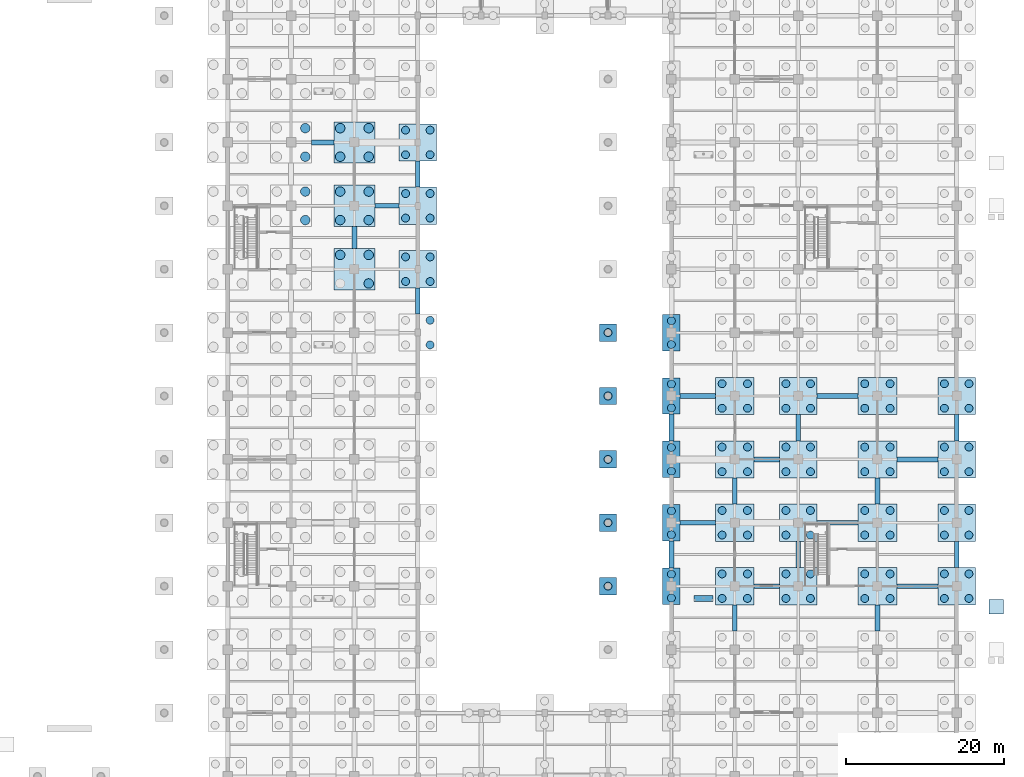
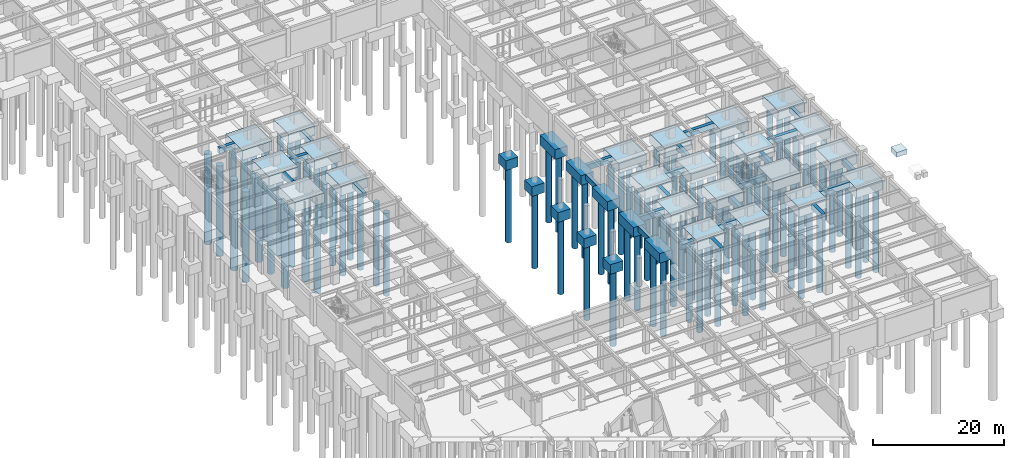
# One storey, part 12 of 97: 108 piles, 57 footings.
"""IFC4 building model written with IfcOpenShell, lengths in metres."""

from ifc_helpers import new_model, si_unit, direction, frame, origin, origin_2d, place, context, subcontext, project, spatial, rectangle, circle, extrude, material, layer, layer_set, material_profile, profile_set, type_object, element, save


model = new_model("IFC4")

# Units and contexts
model_context = context("Model", 3, precision=1e-05, world=origin(), true_north=direction((0.0, 1.0)))
body_context = subcontext(model_context, "Body", "Model", "MODEL_VIEW")
ifc_project = project(units=[si_unit("LENGTHUNIT", "METRE"), si_unit("AREAUNIT", "SQUARE_METRE"), si_unit("VOLUMEUNIT", "CUBIC_METRE"), si_unit("PLANEANGLEUNIT", "RADIAN"), si_unit("MASSUNIT", "GRAM", prefix="KILO")], contexts=[model_context])

# Site, building, storey
site_placement = place(None, origin())
site = spatial("IfcSite", under=ifc_project, at=site_placement, CompositionType="ELEMENT")
building_placement = place(site_placement, origin())
building = spatial("IfcBuilding", under=site, at=building_placement, Name="Haebicheon Civic Stadium", CompositionType="ELEMENT")
storey_placement = place(building_placement, frame((0.0, 0.0, -5.39990234375)))
storey = spatial("IfcBuildingStorey", under=building, at=storey_placement, Name="B1", CompositionType="ELEMENT", Elevation=-5.39990234375)

# Footings
ifc_material_1 = material(Name="Concrete C40/50", Category="concrete")
ifc_layer_1 = layer(ifc_material_1, 1.0, Name="Concrete C40/50")
ifc_layer_set_1 = layer_set([ifc_layer_1], Name="Concrete C40/50")
footing_type_1 = type_object("IfcFootingType", Name="FB-2800x600", PredefinedType="FOOTING_BEAM", material=ifc_layer_set_1)
for number, where, z_axis, x_axis, name in (
    (1, (156.0, 120.0, -1.0), (0.0, 0.0, 1.0), (1.0, 0.0, 0.0), "Ground tie beam X 19-15"),
    (2, (160.0, 108.0, -1.0), (0.0, 0.0, 1.0), (0.0, 1.0, 0.0), "Ground tie beam Y 20-13"),
):
    element("IfcFooting", number, at=place(storey_placement, frame(where, z_axis=z_axis, x_axis=x_axis)), inside=storey, type_object=footing_type_1, material=ifc_layer_set_1, Name=name, PredefinedType="FOOTING_BEAM", context=body_context, shape_type="SweptSolid", body=[
        extrude(rectangle(XDim=2.800048828125, YDim=0.60009765625, at=origin_2d()), origin(), (0.0, 0.0, 1.0), 1.0),
    ])
ifc_material_2 = material(Name="Concrete C40/50", Category="concrete")
ifc_layer_2 = layer(ifc_material_2, 1.0, Name="Concrete C40/50")
ifc_layer_set_2 = layer_set([ifc_layer_2], Name="Concrete C40/50")
footing_type_2 = type_object("IfcFootingType", Name="FB-3050x600", PredefinedType="FOOTING_BEAM", material=ifc_layer_set_2)
footing_1_placement = place(storey_placement, frame((164.125, 112.0, -1.0), z_axis=(0.0, 0.0, 1.0), x_axis=(1.0, 0.0, 0.0)))
element("IfcFooting", 3, at=footing_1_placement, inside=storey, type_object=footing_type_2, material=ifc_layer_set_2, Name="Ground tie beam X 20-14", PredefinedType="FOOTING_BEAM", context=body_context, shape_type="SweptSolid", body=[
    extrude(rectangle(XDim=3.050048828125, YDim=0.60009765625, at=origin_2d()), origin(), (0.0, 0.0, 1.0), 1.0),
])
ifc_material_3 = material(Name="Concrete C40/50", Category="concrete")
ifc_layer_3 = layer(ifc_material_3, 1.0, Name="Concrete C40/50")
ifc_layer_set_3 = layer_set([ifc_layer_3], Name="Concrete C40/50")
footing_type_3 = type_object("IfcFootingType", Name="FB-3200x600", PredefinedType="FOOTING_BEAM", material=ifc_layer_set_3)
for number, where, z_axis, x_axis, name in (
    (4, (212.050048828125, 64.0, -1.0), (0.0, 0.0, 1.0), (1.0, 0.0, 0.0), "Ground tie beam X 26-08"),
    (5, (212.050048828125, 80.0, -1.0), (0.0, 0.0, 1.0), (1.0, 0.0, 0.0), "Ground tie beam X 26-10"),
):
    element("IfcFooting", number, at=place(storey_placement, frame(where, z_axis=z_axis, x_axis=x_axis)), inside=storey, type_object=footing_type_3, material=ifc_layer_set_3, Name=name, PredefinedType="FOOTING_BEAM", context=body_context, shape_type="SweptSolid", body=[
        extrude(rectangle(XDim=3.199951171875, YDim=0.60009765625, at=origin_2d()), origin(), (0.0, 0.0, 1.0), 1.0),
    ])
ifc_material_4 = material(Name="Concrete C40/50", Category="concrete")
ifc_layer_4 = layer(ifc_material_4, 1.0, Name="Concrete C40/50")
ifc_layer_set_4 = layer_set([ifc_layer_4], Name="Concrete C40/50")
footing_type_4 = type_object("IfcFootingType", Name="FB-3300x600", PredefinedType="FOOTING_BEAM", material=ifc_layer_set_4)
for number, where, z_axis, x_axis, name in (
    (6, (168.0, 100.0, -1.0), (0.0, 0.0, 1.0), (0.0, 1.0, 0.0), "Ground tie beam Y 21-12"),
    (7, (168.0, 116.0, -1.0), (0.0, 0.0, 1.0), (0.0, 1.0, 0.0), "Ground tie beam Y 21-14"),
    (8, (208.0, 60.0, -1.0), (0.0, 0.0, 1.0), (0.0, 1.0, 0.0), "Ground tie beam Y 26-07"),
    (9, (208.0, 76.0, -1.0), (0.0, 0.0, 1.0), (0.0, 1.0, 0.0), "Ground tie beam Y 26-09"),
    (10, (216.0, 68.0, -1.0), (0.0, 0.0, 1.0), (0.0, 1.0, 0.0), "Ground tie beam Y 27-08"),
    (11, (216.0, 84.0, -1.0), (0.0, 0.0, 1.0), (0.0, 1.0, 0.0), "Ground tie beam Y 27-10"),
    (12, (226.0, 60.0, -1.0), (0.0, 0.0, 1.0), (0.0, 1.0, 0.0), "Ground tie beam Y 28-07"),
    (13, (226.0, 76.0, -1.0), (0.0, 0.0, 1.0), (0.0, 1.0, 0.0), "Ground tie beam Y 28-09"),
    (14, (236.0, 68.0, -1.0), (0.0, 0.0, 1.0), (0.0, 1.0, 0.0), "Ground tie beam Y 29-08"),
    (15, (236.0, 84.0, -1.0), (0.0, 0.0, 1.0), (0.0, 1.0, 0.0), "Ground tie beam Y 29-10"),
):
    element("IfcFooting", number, at=place(storey_placement, frame(where, z_axis=z_axis, x_axis=x_axis)), inside=storey, type_object=footing_type_4, material=ifc_layer_set_4, Name=name, PredefinedType="FOOTING_BEAM", context=body_context, shape_type="SweptSolid", body=[
        extrude(rectangle(XDim=3.300048828125, YDim=0.60009765625, at=origin_2d()), origin(), (0.0, 0.0, 1.0), 1.0),
    ])
ifc_material_5 = material(Name="Concrete C40/50", Category="concrete")
ifc_layer_5 = layer(ifc_material_5, 1.0, Name="Concrete C40/50")
ifc_layer_set_5 = layer_set([ifc_layer_5], Name="Concrete C40/50")
footing_type_5 = type_object("IfcFootingType", Name="FB-3400x600", PredefinedType="FOOTING_BEAM", material=ifc_layer_set_5)
for number, where, z_axis, x_axis, name in (
    (16, (200.0, 68.0, -1.0), (0.0, 0.0, 1.0), (0.0, 1.0, 0.0), "Ground tie beam Y 25-08"),
    (17, (200.0, 84.0, -1.0), (0.0, 0.0, 1.0), (0.0, 1.0, 0.0), "Ground tie beam Y 25-10"),
):
    element("IfcFooting", number, at=place(storey_placement, frame(where, z_axis=z_axis, x_axis=x_axis)), inside=storey, type_object=footing_type_5, material=ifc_layer_set_5, Name=name, PredefinedType="FOOTING_BEAM", context=body_context, shape_type="SweptSolid", body=[
        extrude(rectangle(XDim=3.39990234375, YDim=0.60009765625, at=origin_2d()), origin(), (0.0, 0.0, 1.0), 1.0),
    ])
ifc_material_6 = material(Name="Concrete C40/50", Category="concrete")
ifc_layer_6 = layer(ifc_material_6, 1.0, Name="Concrete C40/50")
ifc_layer_set_6 = layer_set([ifc_layer_6], Name="Concrete C40/50")
footing_type_6 = type_object("IfcFootingType", Name="FB-4450x600", PredefinedType="FOOTING_BEAM", material=ifc_layer_set_6)
for number, where, z_axis, x_axis, name in (
    (18, (203.324951171875, 72.0, -1.0), (0.0, 0.0, 1.0), (1.0, 0.0, 0.0), "Ground tie beam X 25-09"),
    (19, (203.324951171875, 88.0, -1.0), (0.0, 0.0, 1.0), (1.0, 0.0, 0.0), "Ground tie beam X 25-11"),
):
    element("IfcFooting", number, at=place(storey_placement, frame(where, z_axis=z_axis, x_axis=x_axis)), inside=storey, type_object=footing_type_6, material=ifc_layer_set_6, Name=name, PredefinedType="FOOTING_BEAM", context=body_context, shape_type="SweptSolid", body=[
        extrude(rectangle(XDim=4.449951171875, YDim=0.60009765625, at=origin_2d()), origin(), (0.0, 0.0, 1.0), 1.0),
    ])
ifc_material_7 = material(Name="Concrete C40/50", Category="concrete")
ifc_layer_7 = layer(ifc_material_7, 1.0, Name="Concrete C40/50")
ifc_layer_set_7 = layer_set([ifc_layer_7], Name="Concrete C40/50")
footing_type_7 = type_object("IfcFootingType", Name="FB-5200x600", PredefinedType="FOOTING_BEAM", material=ifc_layer_set_7)
for number, where, z_axis, x_axis, name in (
    (20, (220.949951171875, 72.0, -1.0), (0.0, 0.0, 1.0), (1.0, 0.0, 0.0), "Ground tie beam X 27-09"),
    (21, (220.949951171875, 88.0, -1.0), (0.0, 0.0, 1.0), (1.0, 0.0, 0.0), "Ground tie beam X 27-11"),
    (22, (231.050048828125, 64.0, -1.0), (0.0, 0.0, 1.0), (1.0, 0.0, 0.0), "Ground tie beam X 28-08"),
    (23, (231.050048828125, 80.0, -1.0), (0.0, 0.0, 1.0), (1.0, 0.0, 0.0), "Ground tie beam X 28-10"),
):
    element("IfcFooting", number, at=place(storey_placement, frame(where, z_axis=z_axis, x_axis=x_axis)), inside=storey, type_object=footing_type_7, material=ifc_layer_set_7, Name=name, PredefinedType="FOOTING_BEAM", context=body_context, shape_type="SweptSolid", body=[
        extrude(rectangle(XDim=5.199951171875, YDim=0.60009765625, at=origin_2d()), origin(), (0.0, 0.0, 1.0), 1.0),
    ])
ifc_material_8 = material(Name="Concrete C40/50", Category="concrete")
ifc_layer_8 = layer(ifc_material_8, 1.800048828125, Name="Concrete C40/50")
ifc_layer_set_8 = layer_set([ifc_layer_8], Name="Concrete C40/50")
footing_type_8 = type_object("IfcFootingType", Name="PC-1P-2200", PredefinedType="PILE_CAP", material=ifc_layer_set_8)
for number, where, z_axis, x_axis, name in (
    (24, (192.0, 64.0, -1.80029296875), (0.0, 0.0, 1.0), (1.0, 0.0, 0.0), "Bowl pier pile cap FT-BPC-040"),
    (25, (192.0, 72.0, -1.80029296875), (0.0, 0.0, 1.0), (1.0, 0.0, 0.0), "Bowl pier pile cap FT-BPC-041"),
    (26, (192.0, 80.0, -1.80029296875), (0.0, 0.0, 1.0), (1.0, 0.0, 0.0), "Bowl pier pile cap FT-BPC-042"),
    (27, (192.0, 88.0, -1.80029296875), (0.0, 0.0, 1.0), (1.0, 0.0, 0.0), "Bowl pier pile cap FT-BPC-043"),
    (28, (192.0, 96.0, -1.80029296875), (0.0, 0.0, 1.0), (1.0, 0.0, 0.0), "Bowl pier pile cap FT-BPC-044"),
):
    element("IfcFooting", number, at=place(storey_placement, frame(where, z_axis=z_axis, x_axis=x_axis)), inside=storey, type_object=footing_type_8, material=ifc_layer_set_8, Name=name, PredefinedType="PILE_CAP", context=body_context, shape_type="SweptSolid", body=[
        extrude(rectangle(XDim=2.199951171875, YDim=2.199951171875, at=origin_2d()), origin(), (0.0, 0.0, 1.0), 1.800048828125),
    ])
ifc_material_9 = material(Name="Concrete C40/50", Category="concrete")
ifc_layer_9 = layer(ifc_material_9, 1.800048828125, Name="Concrete C40/50")
ifc_layer_set_9 = layer_set([ifc_layer_9], Name="Concrete C40/50")
footing_type_9 = type_object("IfcFootingType", Name="PC-2P-2200", PredefinedType="PILE_CAP", material=ifc_layer_set_9)
for number, where, z_axis, x_axis, name in (
    (29, (200.0, 64.0, -1.80029296875), (0.0, 0.0, 1.0), (1.0, 0.0, 0.0), "Pile cap FT-PC-25-08"),
    (30, (200.0, 72.0, -1.80029296875), (0.0, 0.0, 1.0), (1.0, 0.0, 0.0), "Pile cap FT-PC-25-09"),
    (31, (200.0, 80.0, -1.80029296875), (0.0, 0.0, 1.0), (1.0, 0.0, 0.0), "Pile cap FT-PC-25-10"),
    (32, (200.0, 88.0, -1.80029296875), (0.0, 0.0, 1.0), (1.0, 0.0, 0.0), "Pile cap FT-PC-25-11"),
    (33, (200.0, 96.0, -1.80029296875), (0.0, 0.0, 1.0), (1.0, 0.0, 0.0), "Pile cap FT-PC-25-12"),
):
    element("IfcFooting", number, at=place(storey_placement, frame(where, z_axis=z_axis, x_axis=x_axis)), inside=storey, type_object=footing_type_9, material=ifc_layer_set_9, Name=name, PredefinedType="PILE_CAP", context=body_context, shape_type="SweptSolid", body=[
        extrude(rectangle(XDim=2.199951171875, YDim=4.60009765625, at=origin_2d()), origin(), (0.0, 0.0, 1.0), 1.800048828125),
    ])
ifc_material_10 = material(Name="Concrete C40/50", Category="concrete")
ifc_layer_10 = layer(ifc_material_10, 1.800048828125, Name="Concrete C40/50")
ifc_layer_set_10 = layer_set([ifc_layer_10], Name="Concrete C40/50")
footing_type_10 = type_object("IfcFootingType", Name="PC-4P-4700", PredefinedType="PILE_CAP", material=ifc_layer_set_10)
for number, where, z_axis, x_axis, name in (
    (34, (168.0, 104.0, -1.80029296875), (0.0, 0.0, 1.0), (1.0, 0.0, 0.0), "Pile cap FT-PC-21-13"),
    (35, (168.0, 112.0, -1.80029296875), (0.0, 0.0, 1.0), (1.0, 0.0, 0.0), "Pile cap FT-PC-21-14"),
    (36, (168.0, 120.0, -1.80029296875), (0.0, 0.0, 1.0), (1.0, 0.0, 0.0), "Pile cap FT-PC-21-15"),
    (37, (216.0, 64.0, -1.80029296875), (0.0, 0.0, 1.0), (1.0, 0.0, 0.0), "Pile cap FT-PC-27-08"),
    (38, (216.0, 72.0, -1.80029296875), (0.0, 0.0, 1.0), (1.0, 0.0, 0.0), "Pile cap FT-PC-27-09"),
    (39, (216.0, 80.0, -1.80029296875), (0.0, 0.0, 1.0), (1.0, 0.0, 0.0), "Pile cap FT-PC-27-10"),
    (40, (216.0, 88.0, -1.80029296875), (0.0, 0.0, 1.0), (1.0, 0.0, 0.0), "Pile cap FT-PC-27-11"),
    (41, (236.0, 64.0, -1.80029296875), (0.0, 0.0, 1.0), (1.0, 0.0, 0.0), "Pile cap FT-PC-29-08"),
    (42, (236.0, 72.0, -1.80029296875), (0.0, 0.0, 1.0), (1.0, 0.0, 0.0), "Pile cap FT-PC-29-09"),
    (43, (236.0, 80.0, -1.80029296875), (0.0, 0.0, 1.0), (1.0, 0.0, 0.0), "Pile cap FT-PC-29-10"),
    (44, (236.0, 88.0, -1.80029296875), (0.0, 0.0, 1.0), (1.0, 0.0, 0.0), "Pile cap FT-PC-29-11"),
):
    element("IfcFooting", number, at=place(storey_placement, frame(where, z_axis=z_axis, x_axis=x_axis)), inside=storey, type_object=footing_type_10, material=ifc_layer_set_10, Name=name, PredefinedType="PILE_CAP", context=body_context, shape_type="SweptSolid", body=[
        extrude(rectangle(XDim=4.699951171875, YDim=4.699951171875, at=origin_2d()), origin(), (0.0, 0.0, 1.0), 1.800048828125),
    ])
ifc_material_11 = material(Name="Concrete C40/50", Category="concrete")
ifc_layer_11 = layer(ifc_material_11, 1.800048828125, Name="Concrete C40/50")
ifc_layer_set_11 = layer_set([ifc_layer_11], Name="Concrete C40/50")
footing_type_11 = type_object("IfcFootingType", Name="PC-4P-4900", PredefinedType="PILE_CAP", material=ifc_layer_set_11)
for number, where, z_axis, x_axis, name in (
    (45, (208.0, 64.0, -1.80029296875), (0.0, 0.0, 1.0), (1.0, 0.0, 0.0), "Pile cap FT-PC-26-08"),
    (46, (208.0, 72.0, -1.80029296875), (0.0, 0.0, 1.0), (1.0, 0.0, 0.0), "Pile cap FT-PC-26-09"),
    (47, (208.0, 80.0, -1.80029296875), (0.0, 0.0, 1.0), (1.0, 0.0, 0.0), "Pile cap FT-PC-26-10"),
    (48, (208.0, 88.0, -1.80029296875), (0.0, 0.0, 1.0), (1.0, 0.0, 0.0), "Pile cap FT-PC-26-11"),
    (49, (226.0, 64.0, -1.80029296875), (0.0, 0.0, 1.0), (1.0, 0.0, 0.0), "Pile cap FT-PC-28-08"),
    (50, (226.0, 72.0, -1.80029296875), (0.0, 0.0, 1.0), (1.0, 0.0, 0.0), "Pile cap FT-PC-28-09"),
    (51, (226.0, 80.0, -1.80029296875), (0.0, 0.0, 1.0), (1.0, 0.0, 0.0), "Pile cap FT-PC-28-10"),
    (52, (226.0, 88.0, -1.80029296875), (0.0, 0.0, 1.0), (1.0, 0.0, 0.0), "Pile cap FT-PC-28-11"),
):
    element("IfcFooting", number, at=place(storey_placement, frame(where, z_axis=z_axis, x_axis=x_axis)), inside=storey, type_object=footing_type_11, material=ifc_layer_set_11, Name=name, PredefinedType="PILE_CAP", context=body_context, shape_type="SweptSolid", body=[
        extrude(rectangle(XDim=4.89990234375, YDim=4.699951171875, at=origin_2d()), origin(), (0.0, 0.0, 1.0), 1.800048828125),
    ])
ifc_material_12 = material(Name="Concrete C40/50", Category="concrete")
ifc_layer_12 = layer(ifc_material_12, 1.800048828125, Name="Concrete C40/50")
ifc_layer_set_12 = layer_set([ifc_layer_12], Name="Concrete C40/50")
footing_type_12 = type_object("IfcFootingType", Name="PC-4P-5200", PredefinedType="PILE_CAP", material=ifc_layer_set_12)
for number, where, z_axis, x_axis, name in (
    (53, (160.0, 104.0, -1.80029296875), (0.0, 0.0, 1.0), (1.0, 0.0, 0.0), "Pile cap FT-PC-20-13"),
    (54, (160.0, 112.0, -1.80029296875), (0.0, 0.0, 1.0), (1.0, 0.0, 0.0), "Pile cap FT-PC-20-14"),
    (55, (160.0, 120.0, -1.80029296875), (0.0, 0.0, 1.0), (1.0, 0.0, 0.0), "Pile cap FT-PC-20-15"),
):
    element("IfcFooting", number, at=place(storey_placement, frame(where, z_axis=z_axis, x_axis=x_axis)), inside=storey, type_object=footing_type_12, material=ifc_layer_set_12, Name=name, PredefinedType="PILE_CAP", context=body_context, shape_type="SweptSolid", body=[
        extrude(rectangle(XDim=5.199951171875, YDim=5.199951171875, at=origin_2d()), origin(), (0.0, 0.0, 1.0), 1.800048828125),
    ])
ifc_material_13 = material(Name="Concrete C35/45", Category="concrete")
ifc_layer_13 = layer(ifc_material_13, 0.89990234375, Name="Concrete C35/45")
ifc_layer_set_13 = layer_set([ifc_layer_13], Name="Concrete C35/45")
footing_type_13 = type_object("IfcFootingType", Name="PF-1800", PredefinedType="PAD_FOOTING", material=ifc_layer_set_13)
footing_2_placement = place(storey_placement, frame((241.0, 61.39990234375, 4.300048828125), z_axis=(0.0, 0.0, 1.0), x_axis=(1.0, 0.0, 0.0)))
element("IfcFooting", 56, at=footing_2_placement, inside=storey, type_object=footing_type_13, material=ifc_layer_set_13, Name="Ramp upper pad footing RMP-04", PredefinedType="PAD_FOOTING", context=body_context, shape_type="SweptSolid", body=[
    extrude(rectangle(XDim=1.800048828125, YDim=1.800048828125, at=origin_2d()), origin(), (0.0, 0.0, 1.0), 0.89990234375),
])
ifc_material_14 = material(Name="Concrete C35/45", Category="concrete")
ifc_layer_14 = layer(ifc_material_14, 0.89990234375, Name="Concrete C35/45")
ifc_layer_set_14 = layer_set([ifc_layer_14], Name="Concrete C35/45")
footing_type_14 = type_object("IfcFootingType", Name="PF-2360x800", PredefinedType="PAD_FOOTING", material=ifc_layer_set_14)
footing_3_placement = place(storey_placement, frame((204.050048828125, 62.449951171875, -0.900146484375), z_axis=(0.0, 0.0, 1.0), x_axis=(1.0, 0.0, 0.0)))
element("IfcFooting", 57, at=footing_3_placement, inside=storey, type_object=footing_type_14, material=ifc_layer_set_14, Name="VM-11 vomitory landing pad footing", PredefinedType="PAD_FOOTING", context=body_context, shape_type="SweptSolid", body=[
    extrude(rectangle(XDim=2.360107421875, YDim=0.800048828125, at=origin_2d()), origin(), (0.0, 0.0, 1.0), 0.89990234375),
])

# Piles
ifc_material_15 = material(Name="Concrete C40/50", Category="concrete")
ifc_material_profile_1 = material_profile(ifc_material_15, circle(Radius=0.5, at=origin_2d()), Name="PILE-D1000")
ifc_profile_set_1 = profile_set([ifc_material_profile_1], Name="Concrete C40/50")
pile_type_1 = type_object("IfcPileType", Name="PL-D1000", PredefinedType="BORED", material=ifc_profile_set_1)
for number, where, z_axis, x_axis, name in (
    (58, (169.550048828125, 94.449951171875, -1.7001953125), (0.0, 0.0, -1.0), (1.0, 0.0, 0.0), "Bored pile 21-12-2"),
    (59, (169.550048828125, 97.550048828125, -1.7001953125), (0.0, 0.0, -1.0), (1.0, 0.0, 0.0), "Bored pile 21-12-4"),
    (60, (166.449951171875, 102.449951171875, -1.7001953125), (0.0, 0.0, -1.0), (1.0, 0.0, 0.0), "Bored pile 21-13-1"),
    (61, (169.550048828125, 102.449951171875, -1.7001953125), (0.0, 0.0, -1.0), (1.0, 0.0, 0.0), "Bored pile 21-13-2"),
    (62, (166.449951171875, 105.550048828125, -1.7001953125), (0.0, 0.0, -1.0), (1.0, 0.0, 0.0), "Bored pile 21-13-3"),
    (63, (169.550048828125, 105.550048828125, -1.7001953125), (0.0, 0.0, -1.0), (1.0, 0.0, 0.0), "Bored pile 21-13-4"),
    (64, (166.449951171875, 110.449951171875, -1.7001953125), (0.0, 0.0, -1.0), (1.0, 0.0, 0.0), "Bored pile 21-14-1"),
    (65, (169.550048828125, 110.449951171875, -1.7001953125), (0.0, 0.0, -1.0), (1.0, 0.0, 0.0), "Bored pile 21-14-2"),
    (66, (166.449951171875, 113.550048828125, -1.7001953125), (0.0, 0.0, -1.0), (1.0, 0.0, 0.0), "Bored pile 21-14-3"),
    (67, (169.550048828125, 113.550048828125, -1.7001953125), (0.0, 0.0, -1.0), (1.0, 0.0, 0.0), "Bored pile 21-14-4"),
    (68, (166.449951171875, 118.449951171875, -1.7001953125), (0.0, 0.0, -1.0), (1.0, 0.0, 0.0), "Bored pile 21-15-1"),
    (69, (169.550048828125, 118.449951171875, -1.7001953125), (0.0, 0.0, -1.0), (1.0, 0.0, 0.0), "Bored pile 21-15-2"),
    (70, (166.449951171875, 121.550048828125, -1.7001953125), (0.0, 0.0, -1.0), (1.0, 0.0, 0.0), "Bored pile 21-15-3"),
    (71, (169.550048828125, 121.550048828125, -1.7001953125), (0.0, 0.0, -1.0), (1.0, 0.0, 0.0), "Bored pile 21-15-4"),
):
    element("IfcPile", number, at=place(storey_placement, frame(where, z_axis=z_axis, x_axis=x_axis)), inside=storey, type_object=pile_type_1, material=ifc_profile_set_1, Name=name, PredefinedType="BORED", context=body_context, shape_type="SweptSolid", body=[
        extrude(circle(Radius=0.5, at=origin_2d()), origin(), (0.0, 0.0, 1.0), 15.5),
    ])
for number, where, z_axis, x_axis, name in (
    (72, (200.0, 62.5, -1.7001953125), (0.0, 0.0, -1.0), (1.0, 0.0, 0.0), "Bored pile 25-08-1"),
    (73, (200.0, 65.5, -1.7001953125), (0.0, 0.0, -1.0), (1.0, 0.0, 0.0), "Bored pile 25-08-2"),
    (74, (200.0, 70.5, -1.7001953125), (0.0, 0.0, -1.0), (1.0, 0.0, 0.0), "Bored pile 25-09-1"),
    (75, (200.0, 73.5, -1.7001953125), (0.0, 0.0, -1.0), (1.0, 0.0, 0.0), "Bored pile 25-09-2"),
    (76, (200.0, 78.5, -1.7001953125), (0.0, 0.0, -1.0), (1.0, 0.0, 0.0), "Bored pile 25-10-1"),
    (77, (200.0, 81.5, -1.7001953125), (0.0, 0.0, -1.0), (1.0, 0.0, 0.0), "Bored pile 25-10-2"),
    (78, (200.0, 86.5, -1.7001953125), (0.0, 0.0, -1.0), (1.0, 0.0, 0.0), "Bored pile 25-11-1"),
    (79, (200.0, 89.5, -1.7001953125), (0.0, 0.0, -1.0), (1.0, 0.0, 0.0), "Bored pile 25-11-2"),
    (80, (200.0, 94.5, -1.7001953125), (0.0, 0.0, -1.0), (1.0, 0.0, 0.0), "Bored pile 25-12-1"),
    (81, (200.0, 97.5, -1.7001953125), (0.0, 0.0, -1.0), (1.0, 0.0, 0.0), "Bored pile 25-12-2"),
):
    element("IfcPile", number, at=place(storey_placement, frame(where, z_axis=z_axis, x_axis=x_axis)), inside=storey, type_object=pile_type_1, material=ifc_profile_set_1, Name=name, PredefinedType="BORED", context=body_context, shape_type="SweptSolid", body=[
        extrude(circle(Radius=0.5, at=origin_2d()), origin(), (0.0, 0.0, 1.0), 14.300048828125),
    ])
for number, where, z_axis, x_axis, name in (
    (82, (206.39990234375, 62.449951171875, -1.7001953125), (0.0, 0.0, -1.0), (1.0, 0.0, 0.0), "Bored pile 26-08-1"),
    (83, (209.60009765625, 62.449951171875, -1.7001953125), (0.0, 0.0, -1.0), (1.0, 0.0, 0.0), "Bored pile 26-08-2"),
    (84, (206.39990234375, 65.550048828125, -1.7001953125), (0.0, 0.0, -1.0), (1.0, 0.0, 0.0), "Bored pile 26-08-3"),
    (85, (209.60009765625, 65.550048828125, -1.7001953125), (0.0, 0.0, -1.0), (1.0, 0.0, 0.0), "Bored pile 26-08-4"),
    (86, (206.39990234375, 70.449951171875, -1.7001953125), (0.0, 0.0, -1.0), (1.0, 0.0, 0.0), "Bored pile 26-09-1"),
    (87, (209.60009765625, 70.449951171875, -1.7001953125), (0.0, 0.0, -1.0), (1.0, 0.0, 0.0), "Bored pile 26-09-2"),
    (88, (206.39990234375, 73.550048828125, -1.7001953125), (0.0, 0.0, -1.0), (1.0, 0.0, 0.0), "Bored pile 26-09-3"),
    (89, (209.60009765625, 73.550048828125, -1.7001953125), (0.0, 0.0, -1.0), (1.0, 0.0, 0.0), "Bored pile 26-09-4"),
    (90, (206.39990234375, 78.449951171875, -1.7001953125), (0.0, 0.0, -1.0), (1.0, 0.0, 0.0), "Bored pile 26-10-1"),
    (91, (209.60009765625, 78.449951171875, -1.7001953125), (0.0, 0.0, -1.0), (1.0, 0.0, 0.0), "Bored pile 26-10-2"),
    (92, (206.39990234375, 81.550048828125, -1.7001953125), (0.0, 0.0, -1.0), (1.0, 0.0, 0.0), "Bored pile 26-10-3"),
    (93, (209.60009765625, 81.550048828125, -1.7001953125), (0.0, 0.0, -1.0), (1.0, 0.0, 0.0), "Bored pile 26-10-4"),
    (94, (206.39990234375, 86.449951171875, -1.7001953125), (0.0, 0.0, -1.0), (1.0, 0.0, 0.0), "Bored pile 26-11-1"),
    (95, (209.60009765625, 86.449951171875, -1.7001953125), (0.0, 0.0, -1.0), (1.0, 0.0, 0.0), "Bored pile 26-11-2"),
    (96, (206.39990234375, 89.550048828125, -1.7001953125), (0.0, 0.0, -1.0), (1.0, 0.0, 0.0), "Bored pile 26-11-3"),
    (97, (209.60009765625, 89.550048828125, -1.7001953125), (0.0, 0.0, -1.0), (1.0, 0.0, 0.0), "Bored pile 26-11-4"),
):
    element("IfcPile", number, at=place(storey_placement, frame(where, z_axis=z_axis, x_axis=x_axis)), inside=storey, type_object=pile_type_1, material=ifc_profile_set_1, Name=name, PredefinedType="BORED", context=body_context, shape_type="SweptSolid", body=[
        extrude(circle(Radius=0.5, at=origin_2d()), origin(), (0.0, 0.0, 1.0), 15.800048828125),
    ])
for number, where, z_axis, x_axis, name in (
    (98, (214.449951171875, 62.449951171875, -1.7001953125), (0.0, 0.0, -1.0), (1.0, 0.0, 0.0), "Bored pile 27-08-1"),
    (99, (217.550048828125, 62.449951171875, -1.7001953125), (0.0, 0.0, -1.0), (1.0, 0.0, 0.0), "Bored pile 27-08-2"),
    (100, (214.449951171875, 65.550048828125, -1.7001953125), (0.0, 0.0, -1.0), (1.0, 0.0, 0.0), "Bored pile 27-08-3"),
    (101, (217.550048828125, 65.550048828125, -1.7001953125), (0.0, 0.0, -1.0), (1.0, 0.0, 0.0), "Bored pile 27-08-4"),
    (102, (214.449951171875, 70.449951171875, -1.7001953125), (0.0, 0.0, -1.0), (1.0, 0.0, 0.0), "Bored pile 27-09-1"),
    (103, (217.550048828125, 70.449951171875, -1.7001953125), (0.0, 0.0, -1.0), (1.0, 0.0, 0.0), "Bored pile 27-09-2"),
    (104, (214.449951171875, 73.550048828125, -1.7001953125), (0.0, 0.0, -1.0), (1.0, 0.0, 0.0), "Bored pile 27-09-3"),
    (105, (217.550048828125, 73.550048828125, -1.7001953125), (0.0, 0.0, -1.0), (1.0, 0.0, 0.0), "Bored pile 27-09-4"),
    (106, (214.449951171875, 78.449951171875, -1.7001953125), (0.0, 0.0, -1.0), (1.0, 0.0, 0.0), "Bored pile 27-10-1"),
    (107, (217.550048828125, 78.449951171875, -1.7001953125), (0.0, 0.0, -1.0), (1.0, 0.0, 0.0), "Bored pile 27-10-2"),
    (108, (214.449951171875, 81.550048828125, -1.7001953125), (0.0, 0.0, -1.0), (1.0, 0.0, 0.0), "Bored pile 27-10-3"),
    (109, (217.550048828125, 81.550048828125, -1.7001953125), (0.0, 0.0, -1.0), (1.0, 0.0, 0.0), "Bored pile 27-10-4"),
    (110, (214.449951171875, 86.449951171875, -1.7001953125), (0.0, 0.0, -1.0), (1.0, 0.0, 0.0), "Bored pile 27-11-1"),
    (111, (217.550048828125, 86.449951171875, -1.7001953125), (0.0, 0.0, -1.0), (1.0, 0.0, 0.0), "Bored pile 27-11-2"),
    (112, (214.449951171875, 89.550048828125, -1.7001953125), (0.0, 0.0, -1.0), (1.0, 0.0, 0.0), "Bored pile 27-11-3"),
    (113, (217.550048828125, 89.550048828125, -1.7001953125), (0.0, 0.0, -1.0), (1.0, 0.0, 0.0), "Bored pile 27-11-4"),
):
    element("IfcPile", number, at=place(storey_placement, frame(where, z_axis=z_axis, x_axis=x_axis)), inside=storey, type_object=pile_type_1, material=ifc_profile_set_1, Name=name, PredefinedType="BORED", context=body_context, shape_type="SweptSolid", body=[
        extrude(circle(Radius=0.5, at=origin_2d()), origin(), (0.0, 0.0, 1.0), 15.5),
    ])
for number, where, z_axis, x_axis, name in (
    (114, (224.39990234375, 62.449951171875, -1.7001953125), (0.0, 0.0, -1.0), (1.0, 0.0, 0.0), "Bored pile 28-08-1"),
    (115, (227.60009765625, 62.449951171875, -1.7001953125), (0.0, 0.0, -1.0), (1.0, 0.0, 0.0), "Bored pile 28-08-2"),
    (116, (224.39990234375, 65.550048828125, -1.7001953125), (0.0, 0.0, -1.0), (1.0, 0.0, 0.0), "Bored pile 28-08-3"),
    (117, (227.60009765625, 65.550048828125, -1.7001953125), (0.0, 0.0, -1.0), (1.0, 0.0, 0.0), "Bored pile 28-08-4"),
    (118, (224.39990234375, 70.449951171875, -1.7001953125), (0.0, 0.0, -1.0), (1.0, 0.0, 0.0), "Bored pile 28-09-1"),
    (119, (227.60009765625, 70.449951171875, -1.7001953125), (0.0, 0.0, -1.0), (1.0, 0.0, 0.0), "Bored pile 28-09-2"),
    (120, (224.39990234375, 73.550048828125, -1.7001953125), (0.0, 0.0, -1.0), (1.0, 0.0, 0.0), "Bored pile 28-09-3"),
    (121, (227.60009765625, 73.550048828125, -1.7001953125), (0.0, 0.0, -1.0), (1.0, 0.0, 0.0), "Bored pile 28-09-4"),
    (122, (224.39990234375, 78.449951171875, -1.7001953125), (0.0, 0.0, -1.0), (1.0, 0.0, 0.0), "Bored pile 28-10-1"),
    (123, (227.60009765625, 78.449951171875, -1.7001953125), (0.0, 0.0, -1.0), (1.0, 0.0, 0.0), "Bored pile 28-10-2"),
    (124, (224.39990234375, 81.550048828125, -1.7001953125), (0.0, 0.0, -1.0), (1.0, 0.0, 0.0), "Bored pile 28-10-3"),
    (125, (227.60009765625, 81.550048828125, -1.7001953125), (0.0, 0.0, -1.0), (1.0, 0.0, 0.0), "Bored pile 28-10-4"),
    (126, (224.39990234375, 86.449951171875, -1.7001953125), (0.0, 0.0, -1.0), (1.0, 0.0, 0.0), "Bored pile 28-11-1"),
    (127, (227.60009765625, 86.449951171875, -1.7001953125), (0.0, 0.0, -1.0), (1.0, 0.0, 0.0), "Bored pile 28-11-2"),
    (128, (224.39990234375, 89.550048828125, -1.7001953125), (0.0, 0.0, -1.0), (1.0, 0.0, 0.0), "Bored pile 28-11-3"),
    (129, (227.60009765625, 89.550048828125, -1.7001953125), (0.0, 0.0, -1.0), (1.0, 0.0, 0.0), "Bored pile 28-11-4"),
):
    element("IfcPile", number, at=place(storey_placement, frame(where, z_axis=z_axis, x_axis=x_axis)), inside=storey, type_object=pile_type_1, material=ifc_profile_set_1, Name=name, PredefinedType="BORED", context=body_context, shape_type="SweptSolid", body=[
        extrude(circle(Radius=0.5, at=origin_2d()), origin(), (0.0, 0.0, 1.0), 15.800048828125),
    ])
for number, where, z_axis, x_axis, name in (
    (130, (234.449951171875, 62.449951171875, -1.7001953125), (0.0, 0.0, -1.0), (1.0, 0.0, 0.0), "Bored pile 29-08-1"),
    (131, (237.550048828125, 62.449951171875, -1.7001953125), (0.0, 0.0, -1.0), (1.0, 0.0, 0.0), "Bored pile 29-08-2"),
    (132, (234.449951171875, 65.550048828125, -1.7001953125), (0.0, 0.0, -1.0), (1.0, 0.0, 0.0), "Bored pile 29-08-3"),
    (133, (237.550048828125, 65.550048828125, -1.7001953125), (0.0, 0.0, -1.0), (1.0, 0.0, 0.0), "Bored pile 29-08-4"),
    (134, (234.449951171875, 70.449951171875, -1.7001953125), (0.0, 0.0, -1.0), (1.0, 0.0, 0.0), "Bored pile 29-09-1"),
    (135, (237.550048828125, 70.449951171875, -1.7001953125), (0.0, 0.0, -1.0), (1.0, 0.0, 0.0), "Bored pile 29-09-2"),
    (136, (234.449951171875, 73.550048828125, -1.7001953125), (0.0, 0.0, -1.0), (1.0, 0.0, 0.0), "Bored pile 29-09-3"),
    (137, (237.550048828125, 73.550048828125, -1.7001953125), (0.0, 0.0, -1.0), (1.0, 0.0, 0.0), "Bored pile 29-09-4"),
    (138, (234.449951171875, 78.449951171875, -1.7001953125), (0.0, 0.0, -1.0), (1.0, 0.0, 0.0), "Bored pile 29-10-1"),
    (139, (237.550048828125, 78.449951171875, -1.7001953125), (0.0, 0.0, -1.0), (1.0, 0.0, 0.0), "Bored pile 29-10-2"),
    (140, (234.449951171875, 81.550048828125, -1.7001953125), (0.0, 0.0, -1.0), (1.0, 0.0, 0.0), "Bored pile 29-10-3"),
    (141, (237.550048828125, 81.550048828125, -1.7001953125), (0.0, 0.0, -1.0), (1.0, 0.0, 0.0), "Bored pile 29-10-4"),
    (142, (234.449951171875, 86.449951171875, -1.7001953125), (0.0, 0.0, -1.0), (1.0, 0.0, 0.0), "Bored pile 29-11-1"),
    (143, (237.550048828125, 86.449951171875, -1.7001953125), (0.0, 0.0, -1.0), (1.0, 0.0, 0.0), "Bored pile 29-11-2"),
    (144, (234.449951171875, 89.550048828125, -1.7001953125), (0.0, 0.0, -1.0), (1.0, 0.0, 0.0), "Bored pile 29-11-3"),
    (145, (237.550048828125, 89.550048828125, -1.7001953125), (0.0, 0.0, -1.0), (1.0, 0.0, 0.0), "Bored pile 29-11-4"),
):
    element("IfcPile", number, at=place(storey_placement, frame(where, z_axis=z_axis, x_axis=x_axis)), inside=storey, type_object=pile_type_1, material=ifc_profile_set_1, Name=name, PredefinedType="BORED", context=body_context, shape_type="SweptSolid", body=[
        extrude(circle(Radius=0.5, at=origin_2d()), origin(), (0.0, 0.0, 1.0), 15.5),
    ])
for number, where, z_axis, x_axis, name in (
    (146, (192.0, 64.0, -1.7001953125), (0.0, 0.0, -1.0), (1.0, 0.0, 0.0), "Bowl pier bored pile 040"),
    (147, (192.0, 72.0, -1.7001953125), (0.0, 0.0, -1.0), (1.0, 0.0, 0.0), "Bowl pier bored pile 041"),
    (148, (192.0, 80.0, -1.7001953125), (0.0, 0.0, -1.0), (1.0, 0.0, 0.0), "Bowl pier bored pile 042"),
    (149, (192.0, 88.0, -1.7001953125), (0.0, 0.0, -1.0), (1.0, 0.0, 0.0), "Bowl pier bored pile 043"),
    (150, (192.0, 96.0, -1.7001953125), (0.0, 0.0, -1.0), (1.0, 0.0, 0.0), "Bowl pier bored pile 044"),
):
    element("IfcPile", number, at=place(storey_placement, frame(where, z_axis=z_axis, x_axis=x_axis)), inside=storey, type_object=pile_type_1, material=ifc_profile_set_1, Name=name, PredefinedType="BORED", context=body_context, shape_type="SweptSolid", body=[
        extrude(circle(Radius=0.5, at=origin_2d()), origin(), (0.0, 0.0, 1.0), 14.300048828125),
    ])
ifc_material_16 = material(Name="Concrete C40/50", Category="concrete")
ifc_material_profile_2 = material_profile(ifc_material_16, circle(Radius=0.60009765625, at=origin_2d()), Name="PILE-D1200")
ifc_profile_set_2 = profile_set([ifc_material_profile_2], Name="Concrete C40/50")
pile_type_2 = type_object("IfcPileType", Name="PL-D1200", PredefinedType="BORED", material=ifc_profile_set_2)
for number, where, z_axis, x_axis, name in (
    (151, (153.800048828125, 110.199951171875, -1.7001953125), (0.0, 0.0, -1.0), (1.0, 0.0, 0.0), "Bored pile 19-14-2"),
    (152, (153.800048828125, 113.800048828125, -1.7001953125), (0.0, 0.0, -1.0), (1.0, 0.0, 0.0), "Bored pile 19-14-4"),
    (153, (153.800048828125, 118.199951171875, -1.7001953125), (0.0, 0.0, -1.0), (1.0, 0.0, 0.0), "Bored pile 19-15-2"),
    (154, (153.800048828125, 121.800048828125, -1.7001953125), (0.0, 0.0, -1.0), (1.0, 0.0, 0.0), "Bored pile 19-15-4"),
    (155, (161.800048828125, 102.199951171875, -1.7001953125), (0.0, 0.0, -1.0), (1.0, 0.0, 0.0), "Bored pile 20-13-2"),
    (156, (158.199951171875, 105.800048828125, -1.7001953125), (0.0, 0.0, -1.0), (1.0, 0.0, 0.0), "Bored pile 20-13-3"),
    (157, (161.800048828125, 105.800048828125, -1.7001953125), (0.0, 0.0, -1.0), (1.0, 0.0, 0.0), "Bored pile 20-13-4"),
    (158, (158.199951171875, 110.199951171875, -1.7001953125), (0.0, 0.0, -1.0), (1.0, 0.0, 0.0), "Bored pile 20-14-1"),
    (159, (161.800048828125, 110.199951171875, -1.7001953125), (0.0, 0.0, -1.0), (1.0, 0.0, 0.0), "Bored pile 20-14-2"),
    (160, (158.199951171875, 113.800048828125, -1.7001953125), (0.0, 0.0, -1.0), (1.0, 0.0, 0.0), "Bored pile 20-14-3"),
    (161, (161.800048828125, 113.800048828125, -1.7001953125), (0.0, 0.0, -1.0), (1.0, 0.0, 0.0), "Bored pile 20-14-4"),
    (162, (158.199951171875, 118.199951171875, -1.7001953125), (0.0, 0.0, -1.0), (1.0, 0.0, 0.0), "Bored pile 20-15-1"),
    (163, (161.800048828125, 118.199951171875, -1.7001953125), (0.0, 0.0, -1.0), (1.0, 0.0, 0.0), "Bored pile 20-15-2"),
    (164, (158.199951171875, 121.800048828125, -1.7001953125), (0.0, 0.0, -1.0), (1.0, 0.0, 0.0), "Bored pile 20-15-3"),
    (165, (161.800048828125, 121.800048828125, -1.7001953125), (0.0, 0.0, -1.0), (1.0, 0.0, 0.0), "Bored pile 20-15-4"),
):
    element("IfcPile", number, at=place(storey_placement, frame(where, z_axis=z_axis, x_axis=x_axis)), inside=storey, type_object=pile_type_2, material=ifc_profile_set_2, Name=name, PredefinedType="BORED", context=body_context, shape_type="SweptSolid", body=[
        extrude(circle(Radius=0.60009765625, at=origin_2d()), origin(), (0.0, 0.0, 1.0), 16.89990234375),
    ])

save(model, "model.ifc")
